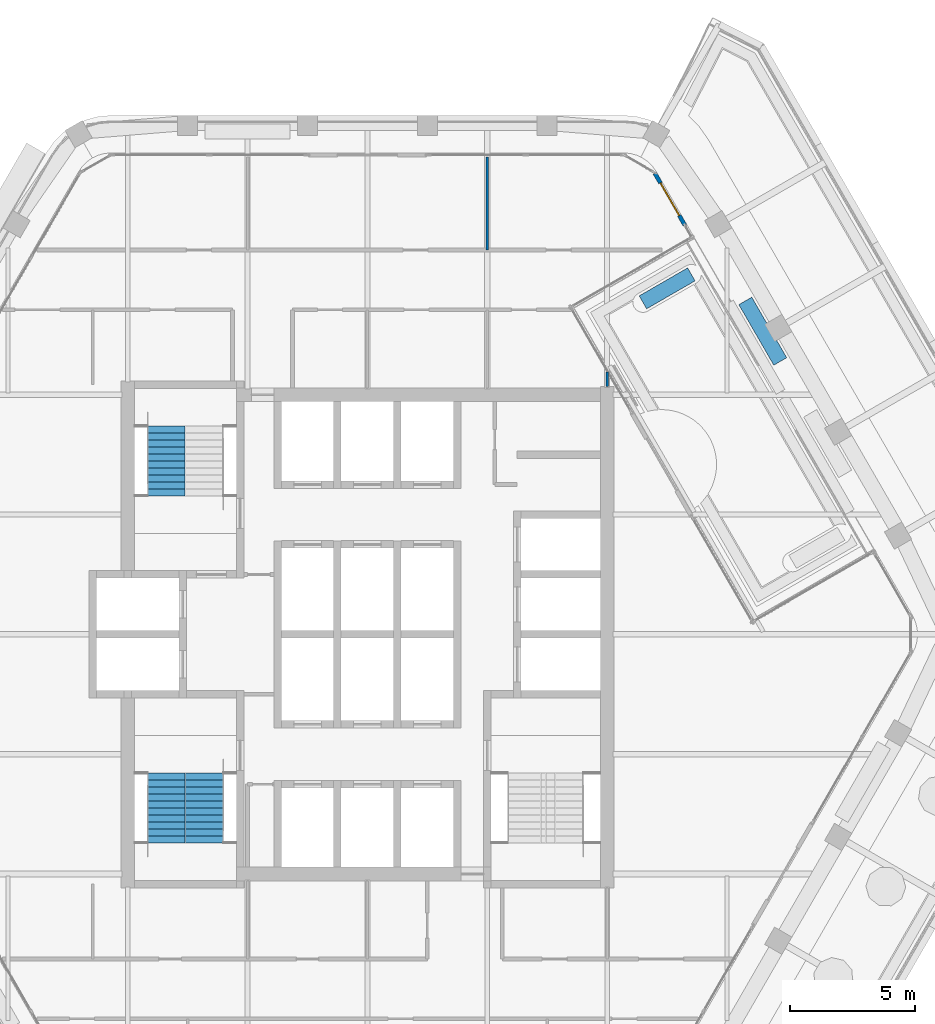
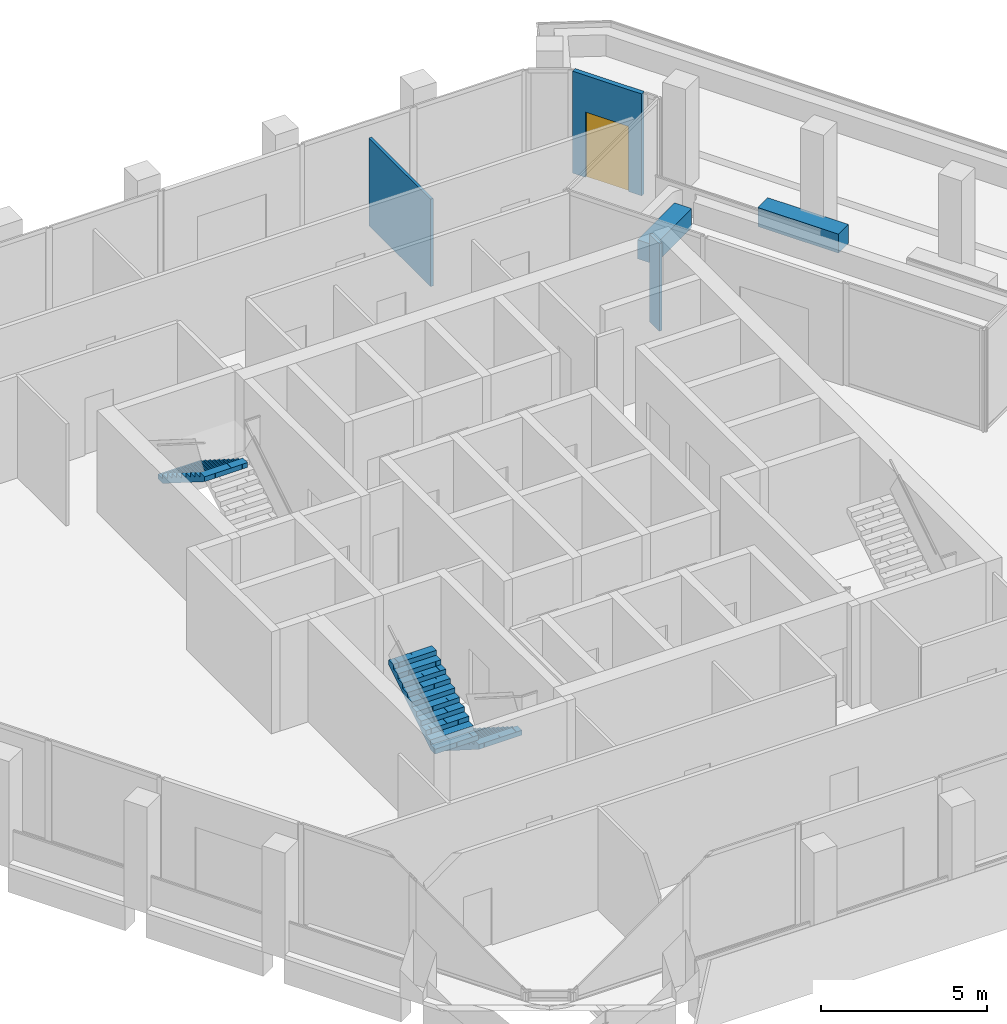
# One storey, part 14 of 17: 5 walls, 3 stair flights, 1 door, 1 opening, 2 elements without a shape of their own.
"""IFC4 building model written with IfcOpenShell, lengths in metres."""

from ifc_helpers import new_model, si_unit, direction, frame, frame_2d, origin, place, context, subcontext, project, spatial, polyline, rectangle, outline, extrude, material, layer, layer_set, type_object, element, fill, aggregate, save


model = new_model("IFC4")

# Units and contexts
model_context = context("Model", 3, precision=1e-05, world=origin(), true_north=direction((0.0, 1.0)))
body_context = subcontext(model_context, "Body", "Model", "MODEL_VIEW")
ifc_project = project(units=[si_unit("LENGTHUNIT", "METRE"), si_unit("AREAUNIT", "SQUARE_METRE"), si_unit("VOLUMEUNIT", "CUBIC_METRE"), si_unit("PLANEANGLEUNIT", "RADIAN"), si_unit("MASSUNIT", "GRAM", prefix="KILO")], contexts=[model_context])

# Site, building, storey
site_placement = place(None, origin())
site = spatial("IfcSite", under=ifc_project, at=site_placement, CompositionType="ELEMENT")
building_placement = place(site_placement, origin())
building = spatial("IfcBuilding", under=site, at=building_placement, Name="Kolab Exchange Tower", CompositionType="ELEMENT")
storey_placement = place(building_placement, frame((0.0, 0.0, 285.199951171875)))
storey = spatial("IfcBuildingStorey", under=building, at=storey_placement, Name="L64", CompositionType="ELEMENT", Elevation=285.199951171875)

# Wall, opening, door
ifc_material_1 = material(Name="Aluminium EN AW-6063 T6", Category="aluminium")
ifc_layer_1 = layer(ifc_material_1, 0.159912109375)
ifc_layer_set_1 = layer_set([ifc_layer_1], Name="Aluminium EN AW-6063 T6")
wall_type_1 = type_object("IfcWallType", Name="DOOR SURROUND WALL 160 ALUMINIUM FRAMED", PredefinedType="PARTITIONING", material=ifc_layer_set_1)
wall_1_placement = place(storey_placement, frame((11.5126953125, 18.46875, 0.0), z_axis=(0.0, 0.0, 1.0), x_axis=(0.499957262057, -0.866050077142, 0.0)))
wall_1 = element("IfcWall", 1, at=wall_1_placement, inside=storey, type_object=wall_type_1, Name="Door surround wall", PredefinedType="PARTITIONING", context=body_context, shape_type="SweptSolid", body=[
    extrude(rectangle(XDim=2.400146484375, YDim=0.159912109375, at=frame_2d((1.2001953125, 0.0))), origin(), (0.0, 0.0, 1.0), 3.75),
])
opening_placement = place(wall_1_placement, frame((0.449951171875, 0.0, 0.0)))
opening = element("IfcOpeningElement", 2, at=opening_placement, cuts=wall_1, Name="Opening GD2-018", PredefinedType="OPENING", context=body_context, shape_type="SweptSolid", body=[
    extrude(rectangle(XDim=1.5, YDim=2.39990234375, at=frame_2d((0.75, 1.199951171875))), frame((0.0, 0.08984375, 0.0), z_axis=(0.0, -1.0, 0.0), x_axis=(1.0, 0.0, 0.0)), (0.0, 0.0, 1.0), 0.179931640625),
])
door_type = type_object("IfcDoorType", Name="LOGGIA SLIDING GLASS DOOR 1500 X 2400", OperationType="SLIDING_TO_LEFT", PredefinedType="DOOR", material=ifc_material_1)
door_placement = place(opening_placement, origin())
door = element("IfcDoor", 3, at=door_placement, inside=storey, type_object=door_type, Name="Loggia door", OperationType="DOUBLE_DOOR_SLIDING", OverallHeight=2.39990234375, OverallWidth=1.5, PredefinedType="DOOR", context=body_context, shape_type="SweptSolid", body=[
    extrude(rectangle(XDim=1.5, YDim=2.39990234375, at=frame_2d((0.75, 1.199951171875))), frame((0.0, 0.02490234375, 0.0), z_axis=(0.0, -1.0, 0.0), x_axis=(1.0, 0.0, 0.0)), (0.0, 0.0, 1.0), 0.050048828125),
])
fill(opening, door)

# Walls
ifc_material_2 = material(Name="Gypsum board", Category="gypsum")
ifc_layer_2 = layer(ifc_material_2, 0.10009765625)
ifc_layer_set_2 = layer_set([ifc_layer_2], Name="Gypsum board")
wall_type_2 = type_object("IfcWallType", Name="PARTITION 100", PredefinedType="PARTITIONING", material=ifc_layer_set_2)
wall_2_placement = place(storey_placement, frame((9.60009765625, 9.925048828125, 0.0), z_axis=(0.0, 0.0, 1.0), x_axis=(0.0, 1.0, 0.0)))
element("IfcWall", 4, at=wall_2_placement, inside=storey, type_object=wall_type_2, Name="Partition 001", PredefinedType="PARTITIONING", context=body_context, shape_type="SweptSolid", body=[
    extrude(rectangle(XDim=0.576416015625, YDim=0.10009765625, at=frame_2d((0.2880859375, 0.0))), origin(), (0.0, 0.0, 1.0), 3.217041015625),
])
wall_3_placement = place(storey_placement, frame((4.800048828125, 15.39990234375, 0.0), z_axis=(0.0, 0.0, 1.0), x_axis=(0.0, 1.0, 0.0)))
element("IfcWall", 5, at=wall_3_placement, inside=storey, type_object=wall_type_2, Name="Partition 006", PredefinedType="PARTITIONING", context=body_context, shape_type="SweptSolid", body=[
    extrude(rectangle(XDim=3.714599609375, YDim=0.10009765625, at=frame_2d((1.857421875, 0.0))), origin(), (0.0, 0.0, 1.0), 3.217041015625),
])
ifc_material_3 = material(Name="Granite facing", Category="masonry")
ifc_layer_3 = layer(ifc_material_3, 0.0400390625)
ifc_material_4 = material(Name="Concrete C40/50 precast", Category="concrete")
ifc_layer_4 = layer(ifc_material_4, 0.56005859375)
ifc_layer_set_3 = layer_set([ifc_layer_3, ifc_layer_4], Name="Concrete C40/50 precast")
wall_type_3 = type_object("IfcWallType", Name="PLANTER BOX 600 X 700 SOIL DEPTH 550", PredefinedType="USERDEFINED", material=ifc_layer_set_3)
wall_4_placement = place(storey_placement, frame((11.03369140625, 13.29833984375, 0.0), z_axis=(0.0, 0.0, 1.0), x_axis=(0.865980463445, 0.500077830873, 0.0)))
element("IfcWall", 6, at=wall_4_placement, inside=storey, type_object=wall_type_3, Name="Planter", ObjectType="PLANTER", PredefinedType="USERDEFINED", context=body_context, shape_type="SweptSolid", body=[
    extrude(rectangle(XDim=2.239990234375, YDim=0.60009765625, at=frame_2d((1.1201171875, 0.0))), origin(), (0.0, 0.0, 1.0), 0.699951171875),
])
wall_5_placement = place(storey_placement, frame((16.533935546875, 10.931640625, 0.0), z_axis=(0.0, 0.0, 1.0), x_axis=(-0.49998411664, 0.866034573852, 0.0)))
element("IfcWall", 7, at=wall_5_placement, inside=storey, type_object=wall_type_3, Name="Planter", ObjectType="PLANTER", PredefinedType="USERDEFINED", context=body_context, shape_type="SweptSolid", body=[
    extrude(rectangle(XDim=2.7998046875, YDim=0.60009765625, at=frame_2d((1.39990234375, 0.0))), origin(), (0.0, 0.0, 1.0), 0.699951171875),
])

# Stair, stair flight
ifc_material_5 = material(Name="Concrete C50/60", Category="concrete")
stair_type_1 = type_object("IfcStairType", Name="STAIR ST1 RISER 177.3", PredefinedType="HALF_TURN_STAIR", material=ifc_material_5)
stair_1_placement = place(storey_placement, origin())
stair_1 = element("IfcStair", 8, at=stair_1_placement, inside=storey, type_object=stair_type_1, Name="Stair 1", PredefinedType="HALF_TURN_STAIR")
stair_flight_type = type_object("IfcStairFlightType", Name="STAIR FLIGHT 1500 RISER 177.3", PredefinedType="STRAIGHT", material=ifc_material_5)
stair_flight_1_placement = place(storey_placement, frame((-8.047607421875, 8.35009765625, 1.949951171875), z_axis=(0.0, 0.0, 1.0), x_axis=(0.0, -1.0, 0.0)))
stair_flight_1 = element("IfcStairFlight", 9, at=stair_flight_1_placement, type_object=stair_flight_type, Name="ST1 flight 2", NumberOfRisers=11, NumberOfTreads=10, PredefinedType="STRAIGHT", RiserHeight=0.177272727, TreadLength=0.28, context=body_context, shape_type="SweptSolid", body=[
    extrude(outline(polyline([(0.0, 0.0), (0.0, 0.17724609375), (0.280029296875, 0.17724609375), (0.280029296875, 0.3544921875), (0.56005859375, 0.3544921875), (0.56005859375, 0.53173828125), (0.840087890625, 0.53173828125), (0.840087890625, 0.708984375), (1.1201171875, 0.708984375), (1.1201171875, 0.886474609375), (1.39990234375, 0.886474609375), (1.39990234375, 1.063720703125), (1.679931640625, 1.063720703125), (1.679931640625, 1.240966796875), (1.9599609375, 1.240966796875), (1.9599609375, 1.418212890625), (2.239990234375, 1.418212890625), (2.239990234375, 1.595458984375), (2.52001953125, 1.595458984375), (2.52001953125, 1.772705078125), (2.800048828125, 1.772705078125), (2.800048828125, 1.949951171875), (2.800048828125, 1.59521484375), (0.2802734375, 0.0), (0.0, 0.0)])), frame((0.0, 0.75, 0.0), z_axis=(0.0, -1.0, 0.0), x_axis=(1.0, 0.0, 0.0)), (0.0, 0.0, 1.0), 0.185791015625),
    extrude(outline(polyline([(0.0, 0.0), (0.0, 0.17724609375), (0.280029296875, 0.17724609375), (0.280029296875, 0.3544921875), (0.56005859375, 0.3544921875), (0.56005859375, 0.53173828125), (0.840087890625, 0.53173828125), (0.840087890625, 0.708984375), (1.1201171875, 0.708984375), (1.1201171875, 0.886474609375), (1.39990234375, 0.886474609375), (1.39990234375, 1.063720703125), (1.679931640625, 1.063720703125), (1.679931640625, 1.240966796875), (1.9599609375, 1.240966796875), (1.9599609375, 1.418212890625), (2.239990234375, 1.418212890625), (2.239990234375, 1.595458984375), (2.52001953125, 1.595458984375), (2.52001953125, 1.772705078125), (2.800048828125, 1.772705078125), (2.800048828125, 1.949951171875), (2.800048828125, 1.59521484375), (0.2802734375, 0.0), (0.0, 0.0)])), frame((0.0, 0.562255859375, 0.0), z_axis=(0.0, -1.0, 0.0), x_axis=(1.0, 0.0, 0.0)), (0.0, 0.0, 1.0), 0.185791015625),
    extrude(outline(polyline([(0.0, 0.0), (0.0, 0.17724609375), (0.280029296875, 0.17724609375), (0.280029296875, 0.3544921875), (0.56005859375, 0.3544921875), (0.56005859375, 0.53173828125), (0.840087890625, 0.53173828125), (0.840087890625, 0.708984375), (1.1201171875, 0.708984375), (1.1201171875, 0.886474609375), (1.39990234375, 0.886474609375), (1.39990234375, 1.063720703125), (1.679931640625, 1.063720703125), (1.679931640625, 1.240966796875), (1.9599609375, 1.240966796875), (1.9599609375, 1.418212890625), (2.239990234375, 1.418212890625), (2.239990234375, 1.595458984375), (2.52001953125, 1.595458984375), (2.52001953125, 1.772705078125), (2.800048828125, 1.772705078125), (2.800048828125, 1.949951171875), (2.800048828125, 1.59521484375), (0.2802734375, 0.0), (0.0, 0.0)])), frame((0.0, 0.37451171875, 0.0), z_axis=(0.0, -1.0, 0.0), x_axis=(1.0, 0.0, 0.0)), (0.0, 0.0, 1.0), 0.185791015625),
    extrude(outline(polyline([(0.0, 0.0), (0.0, 0.17724609375), (0.280029296875, 0.17724609375), (0.280029296875, 0.3544921875), (0.56005859375, 0.3544921875), (0.56005859375, 0.53173828125), (0.840087890625, 0.53173828125), (0.840087890625, 0.708984375), (1.1201171875, 0.708984375), (1.1201171875, 0.886474609375), (1.39990234375, 0.886474609375), (1.39990234375, 1.063720703125), (1.679931640625, 1.063720703125), (1.679931640625, 1.240966796875), (1.9599609375, 1.240966796875), (1.9599609375, 1.418212890625), (2.239990234375, 1.418212890625), (2.239990234375, 1.595458984375), (2.52001953125, 1.595458984375), (2.52001953125, 1.772705078125), (2.800048828125, 1.772705078125), (2.800048828125, 1.949951171875), (2.800048828125, 1.59521484375), (0.2802734375, 0.0), (0.0, 0.0)])), frame((0.0, 0.186767578125, 0.0), z_axis=(0.0, -1.0, 0.0), x_axis=(1.0, 0.0, 0.0)), (0.0, 0.0, 1.0), 0.185791015625),
    extrude(outline(polyline([(0.0, 0.0), (0.0, 0.17724609375), (0.280029296875, 0.17724609375), (0.280029296875, 0.3544921875), (0.56005859375, 0.3544921875), (0.56005859375, 0.53173828125), (0.840087890625, 0.53173828125), (0.840087890625, 0.708984375), (1.1201171875, 0.708984375), (1.1201171875, 0.886474609375), (1.39990234375, 0.886474609375), (1.39990234375, 1.063720703125), (1.679931640625, 1.063720703125), (1.679931640625, 1.240966796875), (1.9599609375, 1.240966796875), (1.9599609375, 1.418212890625), (2.239990234375, 1.418212890625), (2.239990234375, 1.595458984375), (2.52001953125, 1.595458984375), (2.52001953125, 1.772705078125), (2.800048828125, 1.772705078125), (2.800048828125, 1.949951171875), (2.800048828125, 1.59521484375), (0.2802734375, 0.0), (0.0, 0.0)])), frame((0.0, -0.0009765625, 0.0), z_axis=(0.0, -1.0, 0.0), x_axis=(1.0, 0.0, 0.0)), (0.0, 0.0, 1.0), 0.185791015625),
    extrude(outline(polyline([(0.0, 0.0), (0.0, 0.17724609375), (0.280029296875, 0.17724609375), (0.280029296875, 0.3544921875), (0.56005859375, 0.3544921875), (0.56005859375, 0.53173828125), (0.840087890625, 0.53173828125), (0.840087890625, 0.708984375), (1.1201171875, 0.708984375), (1.1201171875, 0.886474609375), (1.39990234375, 0.886474609375), (1.39990234375, 1.063720703125), (1.679931640625, 1.063720703125), (1.679931640625, 1.240966796875), (1.9599609375, 1.240966796875), (1.9599609375, 1.418212890625), (2.239990234375, 1.418212890625), (2.239990234375, 1.595458984375), (2.52001953125, 1.595458984375), (2.52001953125, 1.772705078125), (2.800048828125, 1.772705078125), (2.800048828125, 1.949951171875), (2.800048828125, 1.59521484375), (0.2802734375, 0.0), (0.0, 0.0)])), frame((0.0, -0.188720703125, 0.0), z_axis=(0.0, -1.0, 0.0), x_axis=(1.0, 0.0, 0.0)), (0.0, 0.0, 1.0), 0.185791015625),
    extrude(outline(polyline([(0.0, 0.0), (0.0, 0.17724609375), (0.280029296875, 0.17724609375), (0.280029296875, 0.3544921875), (0.56005859375, 0.3544921875), (0.56005859375, 0.53173828125), (0.840087890625, 0.53173828125), (0.840087890625, 0.708984375), (1.1201171875, 0.708984375), (1.1201171875, 0.886474609375), (1.39990234375, 0.886474609375), (1.39990234375, 1.063720703125), (1.679931640625, 1.063720703125), (1.679931640625, 1.240966796875), (1.9599609375, 1.240966796875), (1.9599609375, 1.418212890625), (2.239990234375, 1.418212890625), (2.239990234375, 1.595458984375), (2.52001953125, 1.595458984375), (2.52001953125, 1.772705078125), (2.800048828125, 1.772705078125), (2.800048828125, 1.949951171875), (2.800048828125, 1.59521484375), (0.2802734375, 0.0), (0.0, 0.0)])), frame((0.0, -0.37646484375, 0.0), z_axis=(0.0, -1.0, 0.0), x_axis=(1.0, 0.0, 0.0)), (0.0, 0.0, 1.0), 0.185791015625),
    extrude(outline(polyline([(0.0, 0.0), (0.0, 0.17724609375), (0.280029296875, 0.17724609375), (0.280029296875, 0.3544921875), (0.56005859375, 0.3544921875), (0.56005859375, 0.53173828125), (0.840087890625, 0.53173828125), (0.840087890625, 0.708984375), (1.1201171875, 0.708984375), (1.1201171875, 0.886474609375), (1.39990234375, 0.886474609375), (1.39990234375, 1.063720703125), (1.679931640625, 1.063720703125), (1.679931640625, 1.240966796875), (1.9599609375, 1.240966796875), (1.9599609375, 1.418212890625), (2.239990234375, 1.418212890625), (2.239990234375, 1.595458984375), (2.52001953125, 1.595458984375), (2.52001953125, 1.772705078125), (2.800048828125, 1.772705078125), (2.800048828125, 1.949951171875), (2.800048828125, 1.59521484375), (0.2802734375, 0.0), (0.0, 0.0)])), frame((0.0, -0.564208984375, 0.0), z_axis=(0.0, -1.0, 0.0), x_axis=(1.0, 0.0, 0.0)), (0.0, 0.0, 1.0), 0.185791015625),
])
aggregate(stair_1, [stair_flight_1])

# Stair, stair flights
stair_type_2 = type_object("IfcStairType", Name="STAIR ST3 RISER 177.3", PredefinedType="HALF_TURN_STAIR", material=ifc_material_5)
stair_2_placement = place(storey_placement, origin())
stair_2 = element("IfcStair", 10, at=stair_2_placement, inside=storey, type_object=stair_type_2, Name="Stair 3", PredefinedType="HALF_TURN_STAIR")
stair_flight_2_placement = place(storey_placement, frame((-6.527587890625, -5.550048828125, 0.0), z_axis=(0.0, 0.0, 1.0), x_axis=(0.0, -1.0, 0.0)))
stair_flight_2 = element("IfcStairFlight", 11, at=stair_flight_2_placement, type_object=stair_flight_type, Name="ST3 flight 1", NumberOfRisers=11, NumberOfTreads=10, PredefinedType="STRAIGHT", RiserHeight=0.177272727, TreadLength=0.28, context=body_context, shape_type="SweptSolid", body=[
    extrude(outline(polyline([(0.0, 0.0), (0.0, 0.17724609375), (0.280029296875, 0.17724609375), (0.280029296875, 0.3544921875), (0.56005859375, 0.3544921875), (0.56005859375, 0.53173828125), (0.840087890625, 0.53173828125), (0.840087890625, 0.708984375), (1.1201171875, 0.708984375), (1.1201171875, 0.886474609375), (1.39990234375, 0.886474609375), (1.39990234375, 1.063720703125), (1.679931640625, 1.063720703125), (1.679931640625, 1.240966796875), (1.9599609375, 1.240966796875), (1.9599609375, 1.418212890625), (2.239990234375, 1.418212890625), (2.239990234375, 1.595458984375), (2.52001953125, 1.595458984375), (2.52001953125, 1.772705078125), (2.800048828125, 1.772705078125), (2.800048828125, 1.949951171875), (2.800048828125, 1.59521484375), (0.2802734375, 0.0), (0.0, 0.0)])), frame((0.0, 0.75, 0.0), z_axis=(0.0, -1.0, 0.0), x_axis=(1.0, 0.0, 0.0)), (0.0, 0.0, 1.0), 0.185791015625),
    extrude(outline(polyline([(0.0, 0.0), (0.0, 0.17724609375), (0.280029296875, 0.17724609375), (0.280029296875, 0.3544921875), (0.56005859375, 0.3544921875), (0.56005859375, 0.53173828125), (0.840087890625, 0.53173828125), (0.840087890625, 0.708984375), (1.1201171875, 0.708984375), (1.1201171875, 0.886474609375), (1.39990234375, 0.886474609375), (1.39990234375, 1.063720703125), (1.679931640625, 1.063720703125), (1.679931640625, 1.240966796875), (1.9599609375, 1.240966796875), (1.9599609375, 1.418212890625), (2.239990234375, 1.418212890625), (2.239990234375, 1.595458984375), (2.52001953125, 1.595458984375), (2.52001953125, 1.772705078125), (2.800048828125, 1.772705078125), (2.800048828125, 1.949951171875), (2.800048828125, 1.59521484375), (0.2802734375, 0.0), (0.0, 0.0)])), frame((0.0, 0.562255859375, 0.0), z_axis=(0.0, -1.0, 0.0), x_axis=(1.0, 0.0, 0.0)), (0.0, 0.0, 1.0), 0.185791015625),
    extrude(outline(polyline([(0.0, 0.0), (0.0, 0.17724609375), (0.280029296875, 0.17724609375), (0.280029296875, 0.3544921875), (0.56005859375, 0.3544921875), (0.56005859375, 0.53173828125), (0.840087890625, 0.53173828125), (0.840087890625, 0.708984375), (1.1201171875, 0.708984375), (1.1201171875, 0.886474609375), (1.39990234375, 0.886474609375), (1.39990234375, 1.063720703125), (1.679931640625, 1.063720703125), (1.679931640625, 1.240966796875), (1.9599609375, 1.240966796875), (1.9599609375, 1.418212890625), (2.239990234375, 1.418212890625), (2.239990234375, 1.595458984375), (2.52001953125, 1.595458984375), (2.52001953125, 1.772705078125), (2.800048828125, 1.772705078125), (2.800048828125, 1.949951171875), (2.800048828125, 1.59521484375), (0.2802734375, 0.0), (0.0, 0.0)])), frame((0.0, 0.37451171875, 0.0), z_axis=(0.0, -1.0, 0.0), x_axis=(1.0, 0.0, 0.0)), (0.0, 0.0, 1.0), 0.185791015625),
    extrude(outline(polyline([(0.0, 0.0), (0.0, 0.17724609375), (0.280029296875, 0.17724609375), (0.280029296875, 0.3544921875), (0.56005859375, 0.3544921875), (0.56005859375, 0.53173828125), (0.840087890625, 0.53173828125), (0.840087890625, 0.708984375), (1.1201171875, 0.708984375), (1.1201171875, 0.886474609375), (1.39990234375, 0.886474609375), (1.39990234375, 1.063720703125), (1.679931640625, 1.063720703125), (1.679931640625, 1.240966796875), (1.9599609375, 1.240966796875), (1.9599609375, 1.418212890625), (2.239990234375, 1.418212890625), (2.239990234375, 1.595458984375), (2.52001953125, 1.595458984375), (2.52001953125, 1.772705078125), (2.800048828125, 1.772705078125), (2.800048828125, 1.949951171875), (2.800048828125, 1.59521484375), (0.2802734375, 0.0), (0.0, 0.0)])), frame((0.0, 0.186767578125, 0.0), z_axis=(0.0, -1.0, 0.0), x_axis=(1.0, 0.0, 0.0)), (0.0, 0.0, 1.0), 0.185791015625),
    extrude(outline(polyline([(0.0, 0.0), (0.0, 0.17724609375), (0.280029296875, 0.17724609375), (0.280029296875, 0.3544921875), (0.56005859375, 0.3544921875), (0.56005859375, 0.53173828125), (0.840087890625, 0.53173828125), (0.840087890625, 0.708984375), (1.1201171875, 0.708984375), (1.1201171875, 0.886474609375), (1.39990234375, 0.886474609375), (1.39990234375, 1.063720703125), (1.679931640625, 1.063720703125), (1.679931640625, 1.240966796875), (1.9599609375, 1.240966796875), (1.9599609375, 1.418212890625), (2.239990234375, 1.418212890625), (2.239990234375, 1.595458984375), (2.52001953125, 1.595458984375), (2.52001953125, 1.772705078125), (2.800048828125, 1.772705078125), (2.800048828125, 1.949951171875), (2.800048828125, 1.59521484375), (0.2802734375, 0.0), (0.0, 0.0)])), frame((0.0, -0.0009765625, 0.0), z_axis=(0.0, -1.0, 0.0), x_axis=(1.0, 0.0, 0.0)), (0.0, 0.0, 1.0), 0.185791015625),
    extrude(outline(polyline([(0.0, 0.0), (0.0, 0.17724609375), (0.280029296875, 0.17724609375), (0.280029296875, 0.3544921875), (0.56005859375, 0.3544921875), (0.56005859375, 0.53173828125), (0.840087890625, 0.53173828125), (0.840087890625, 0.708984375), (1.1201171875, 0.708984375), (1.1201171875, 0.886474609375), (1.39990234375, 0.886474609375), (1.39990234375, 1.063720703125), (1.679931640625, 1.063720703125), (1.679931640625, 1.240966796875), (1.9599609375, 1.240966796875), (1.9599609375, 1.418212890625), (2.239990234375, 1.418212890625), (2.239990234375, 1.595458984375), (2.52001953125, 1.595458984375), (2.52001953125, 1.772705078125), (2.800048828125, 1.772705078125), (2.800048828125, 1.949951171875), (2.800048828125, 1.59521484375), (0.2802734375, 0.0), (0.0, 0.0)])), frame((0.0, -0.188720703125, 0.0), z_axis=(0.0, -1.0, 0.0), x_axis=(1.0, 0.0, 0.0)), (0.0, 0.0, 1.0), 0.185791015625),
    extrude(outline(polyline([(0.0, 0.0), (0.0, 0.17724609375), (0.280029296875, 0.17724609375), (0.280029296875, 0.3544921875), (0.56005859375, 0.3544921875), (0.56005859375, 0.53173828125), (0.840087890625, 0.53173828125), (0.840087890625, 0.708984375), (1.1201171875, 0.708984375), (1.1201171875, 0.886474609375), (1.39990234375, 0.886474609375), (1.39990234375, 1.063720703125), (1.679931640625, 1.063720703125), (1.679931640625, 1.240966796875), (1.9599609375, 1.240966796875), (1.9599609375, 1.418212890625), (2.239990234375, 1.418212890625), (2.239990234375, 1.595458984375), (2.52001953125, 1.595458984375), (2.52001953125, 1.772705078125), (2.800048828125, 1.772705078125), (2.800048828125, 1.949951171875), (2.800048828125, 1.59521484375), (0.2802734375, 0.0), (0.0, 0.0)])), frame((0.0, -0.37646484375, 0.0), z_axis=(0.0, -1.0, 0.0), x_axis=(1.0, 0.0, 0.0)), (0.0, 0.0, 1.0), 0.185791015625),
    extrude(outline(polyline([(0.0, 0.0), (0.0, 0.17724609375), (0.280029296875, 0.17724609375), (0.280029296875, 0.3544921875), (0.56005859375, 0.3544921875), (0.56005859375, 0.53173828125), (0.840087890625, 0.53173828125), (0.840087890625, 0.708984375), (1.1201171875, 0.708984375), (1.1201171875, 0.886474609375), (1.39990234375, 0.886474609375), (1.39990234375, 1.063720703125), (1.679931640625, 1.063720703125), (1.679931640625, 1.240966796875), (1.9599609375, 1.240966796875), (1.9599609375, 1.418212890625), (2.239990234375, 1.418212890625), (2.239990234375, 1.595458984375), (2.52001953125, 1.595458984375), (2.52001953125, 1.772705078125), (2.800048828125, 1.772705078125), (2.800048828125, 1.949951171875), (2.800048828125, 1.59521484375), (0.2802734375, 0.0), (0.0, 0.0)])), frame((0.0, -0.564208984375, 0.0), z_axis=(0.0, -1.0, 0.0), x_axis=(1.0, 0.0, 0.0)), (0.0, 0.0, 1.0), 0.185791015625),
])
stair_flight_3_placement = place(storey_placement, frame((-8.047607421875, -8.35009765625, 1.949951171875), z_axis=(0.0, 0.0, 1.0), x_axis=(0.0, 1.0, 0.0)))
stair_flight_3 = element("IfcStairFlight", 12, at=stair_flight_3_placement, type_object=stair_flight_type, Name="ST3 flight 2", NumberOfRisers=11, NumberOfTreads=10, PredefinedType="STRAIGHT", RiserHeight=0.177272727, TreadLength=0.28, context=body_context, shape_type="SweptSolid", body=[
    extrude(outline(polyline([(0.0, 0.0), (0.0, 0.17724609375), (0.280029296875, 0.17724609375), (0.280029296875, 0.3544921875), (0.56005859375, 0.3544921875), (0.56005859375, 0.53173828125), (0.840087890625, 0.53173828125), (0.840087890625, 0.708984375), (1.1201171875, 0.708984375), (1.1201171875, 0.886474609375), (1.39990234375, 0.886474609375), (1.39990234375, 1.063720703125), (1.679931640625, 1.063720703125), (1.679931640625, 1.240966796875), (1.9599609375, 1.240966796875), (1.9599609375, 1.418212890625), (2.239990234375, 1.418212890625), (2.239990234375, 1.595458984375), (2.52001953125, 1.595458984375), (2.52001953125, 1.772705078125), (2.800048828125, 1.772705078125), (2.800048828125, 1.949951171875), (2.800048828125, 1.59521484375), (0.2802734375, 0.0), (0.0, 0.0)])), frame((0.0, 0.75, 0.0), z_axis=(0.0, -1.0, 0.0), x_axis=(1.0, 0.0, 0.0)), (0.0, 0.0, 1.0), 0.185791015625),
    extrude(outline(polyline([(0.0, 0.0), (0.0, 0.17724609375), (0.280029296875, 0.17724609375), (0.280029296875, 0.3544921875), (0.56005859375, 0.3544921875), (0.56005859375, 0.53173828125), (0.840087890625, 0.53173828125), (0.840087890625, 0.708984375), (1.1201171875, 0.708984375), (1.1201171875, 0.886474609375), (1.39990234375, 0.886474609375), (1.39990234375, 1.063720703125), (1.679931640625, 1.063720703125), (1.679931640625, 1.240966796875), (1.9599609375, 1.240966796875), (1.9599609375, 1.418212890625), (2.239990234375, 1.418212890625), (2.239990234375, 1.595458984375), (2.52001953125, 1.595458984375), (2.52001953125, 1.772705078125), (2.800048828125, 1.772705078125), (2.800048828125, 1.949951171875), (2.800048828125, 1.59521484375), (0.2802734375, 0.0), (0.0, 0.0)])), frame((0.0, 0.562255859375, 0.0), z_axis=(0.0, -1.0, 0.0), x_axis=(1.0, 0.0, 0.0)), (0.0, 0.0, 1.0), 0.185791015625),
    extrude(outline(polyline([(0.0, 0.0), (0.0, 0.17724609375), (0.280029296875, 0.17724609375), (0.280029296875, 0.3544921875), (0.56005859375, 0.3544921875), (0.56005859375, 0.53173828125), (0.840087890625, 0.53173828125), (0.840087890625, 0.708984375), (1.1201171875, 0.708984375), (1.1201171875, 0.886474609375), (1.39990234375, 0.886474609375), (1.39990234375, 1.063720703125), (1.679931640625, 1.063720703125), (1.679931640625, 1.240966796875), (1.9599609375, 1.240966796875), (1.9599609375, 1.418212890625), (2.239990234375, 1.418212890625), (2.239990234375, 1.595458984375), (2.52001953125, 1.595458984375), (2.52001953125, 1.772705078125), (2.800048828125, 1.772705078125), (2.800048828125, 1.949951171875), (2.800048828125, 1.59521484375), (0.2802734375, 0.0), (0.0, 0.0)])), frame((0.0, 0.37451171875, 0.0), z_axis=(0.0, -1.0, 0.0), x_axis=(1.0, 0.0, 0.0)), (0.0, 0.0, 1.0), 0.185791015625),
    extrude(outline(polyline([(0.0, 0.0), (0.0, 0.17724609375), (0.280029296875, 0.17724609375), (0.280029296875, 0.3544921875), (0.56005859375, 0.3544921875), (0.56005859375, 0.53173828125), (0.840087890625, 0.53173828125), (0.840087890625, 0.708984375), (1.1201171875, 0.708984375), (1.1201171875, 0.886474609375), (1.39990234375, 0.886474609375), (1.39990234375, 1.063720703125), (1.679931640625, 1.063720703125), (1.679931640625, 1.240966796875), (1.9599609375, 1.240966796875), (1.9599609375, 1.418212890625), (2.239990234375, 1.418212890625), (2.239990234375, 1.595458984375), (2.52001953125, 1.595458984375), (2.52001953125, 1.772705078125), (2.800048828125, 1.772705078125), (2.800048828125, 1.949951171875), (2.800048828125, 1.59521484375), (0.2802734375, 0.0), (0.0, 0.0)])), frame((0.0, 0.186767578125, 0.0), z_axis=(0.0, -1.0, 0.0), x_axis=(1.0, 0.0, 0.0)), (0.0, 0.0, 1.0), 0.185791015625),
    extrude(outline(polyline([(0.0, 0.0), (0.0, 0.17724609375), (0.280029296875, 0.17724609375), (0.280029296875, 0.3544921875), (0.56005859375, 0.3544921875), (0.56005859375, 0.53173828125), (0.840087890625, 0.53173828125), (0.840087890625, 0.708984375), (1.1201171875, 0.708984375), (1.1201171875, 0.886474609375), (1.39990234375, 0.886474609375), (1.39990234375, 1.063720703125), (1.679931640625, 1.063720703125), (1.679931640625, 1.240966796875), (1.9599609375, 1.240966796875), (1.9599609375, 1.418212890625), (2.239990234375, 1.418212890625), (2.239990234375, 1.595458984375), (2.52001953125, 1.595458984375), (2.52001953125, 1.772705078125), (2.800048828125, 1.772705078125), (2.800048828125, 1.949951171875), (2.800048828125, 1.59521484375), (0.2802734375, 0.0), (0.0, 0.0)])), frame((0.0, -0.0009765625, 0.0), z_axis=(0.0, -1.0, 0.0), x_axis=(1.0, 0.0, 0.0)), (0.0, 0.0, 1.0), 0.185791015625),
    extrude(outline(polyline([(0.0, 0.0), (0.0, 0.17724609375), (0.280029296875, 0.17724609375), (0.280029296875, 0.3544921875), (0.56005859375, 0.3544921875), (0.56005859375, 0.53173828125), (0.840087890625, 0.53173828125), (0.840087890625, 0.708984375), (1.1201171875, 0.708984375), (1.1201171875, 0.886474609375), (1.39990234375, 0.886474609375), (1.39990234375, 1.063720703125), (1.679931640625, 1.063720703125), (1.679931640625, 1.240966796875), (1.9599609375, 1.240966796875), (1.9599609375, 1.418212890625), (2.239990234375, 1.418212890625), (2.239990234375, 1.595458984375), (2.52001953125, 1.595458984375), (2.52001953125, 1.772705078125), (2.800048828125, 1.772705078125), (2.800048828125, 1.949951171875), (2.800048828125, 1.59521484375), (0.2802734375, 0.0), (0.0, 0.0)])), frame((0.0, -0.188720703125, 0.0), z_axis=(0.0, -1.0, 0.0), x_axis=(1.0, 0.0, 0.0)), (0.0, 0.0, 1.0), 0.185791015625),
    extrude(outline(polyline([(0.0, 0.0), (0.0, 0.17724609375), (0.280029296875, 0.17724609375), (0.280029296875, 0.3544921875), (0.56005859375, 0.3544921875), (0.56005859375, 0.53173828125), (0.840087890625, 0.53173828125), (0.840087890625, 0.708984375), (1.1201171875, 0.708984375), (1.1201171875, 0.886474609375), (1.39990234375, 0.886474609375), (1.39990234375, 1.063720703125), (1.679931640625, 1.063720703125), (1.679931640625, 1.240966796875), (1.9599609375, 1.240966796875), (1.9599609375, 1.418212890625), (2.239990234375, 1.418212890625), (2.239990234375, 1.595458984375), (2.52001953125, 1.595458984375), (2.52001953125, 1.772705078125), (2.800048828125, 1.772705078125), (2.800048828125, 1.949951171875), (2.800048828125, 1.59521484375), (0.2802734375, 0.0), (0.0, 0.0)])), frame((0.0, -0.37646484375, 0.0), z_axis=(0.0, -1.0, 0.0), x_axis=(1.0, 0.0, 0.0)), (0.0, 0.0, 1.0), 0.185791015625),
    extrude(outline(polyline([(0.0, 0.0), (0.0, 0.17724609375), (0.280029296875, 0.17724609375), (0.280029296875, 0.3544921875), (0.56005859375, 0.3544921875), (0.56005859375, 0.53173828125), (0.840087890625, 0.53173828125), (0.840087890625, 0.708984375), (1.1201171875, 0.708984375), (1.1201171875, 0.886474609375), (1.39990234375, 0.886474609375), (1.39990234375, 1.063720703125), (1.679931640625, 1.063720703125), (1.679931640625, 1.240966796875), (1.9599609375, 1.240966796875), (1.9599609375, 1.418212890625), (2.239990234375, 1.418212890625), (2.239990234375, 1.595458984375), (2.52001953125, 1.595458984375), (2.52001953125, 1.772705078125), (2.800048828125, 1.772705078125), (2.800048828125, 1.949951171875), (2.800048828125, 1.59521484375), (0.2802734375, 0.0), (0.0, 0.0)])), frame((0.0, -0.564208984375, 0.0), z_axis=(0.0, -1.0, 0.0), x_axis=(1.0, 0.0, 0.0)), (0.0, 0.0, 1.0), 0.185791015625),
])
aggregate(stair_2, [stair_flight_2, stair_flight_3])

save(model, "model.ifc")
